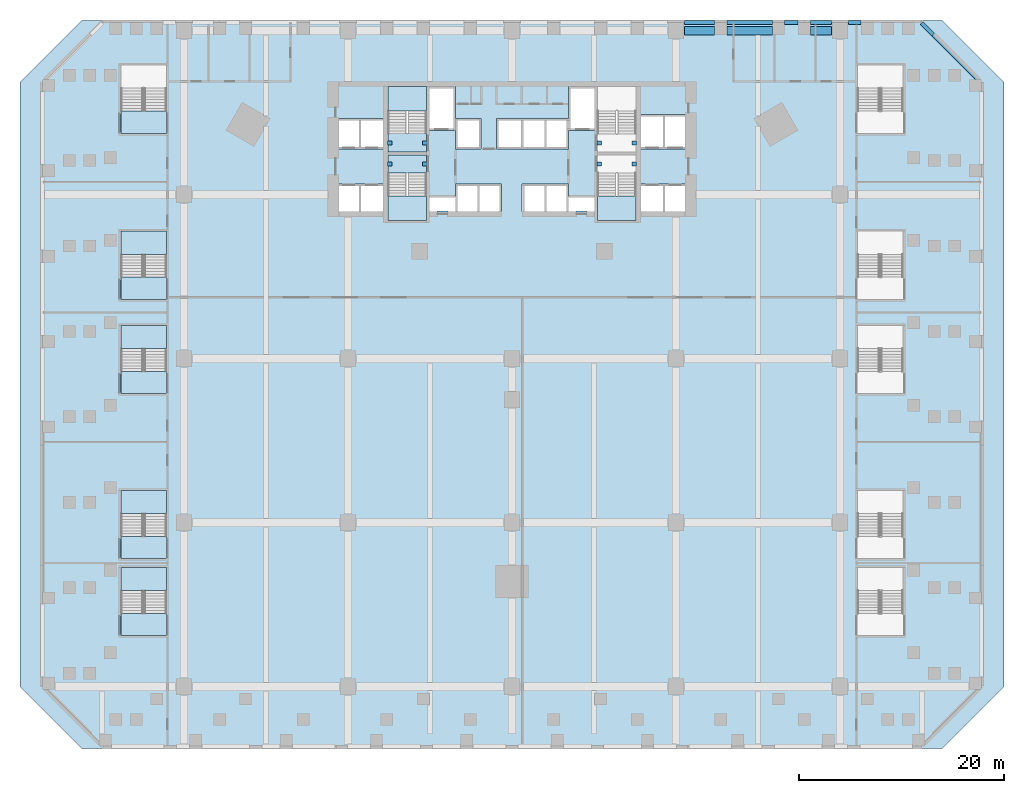
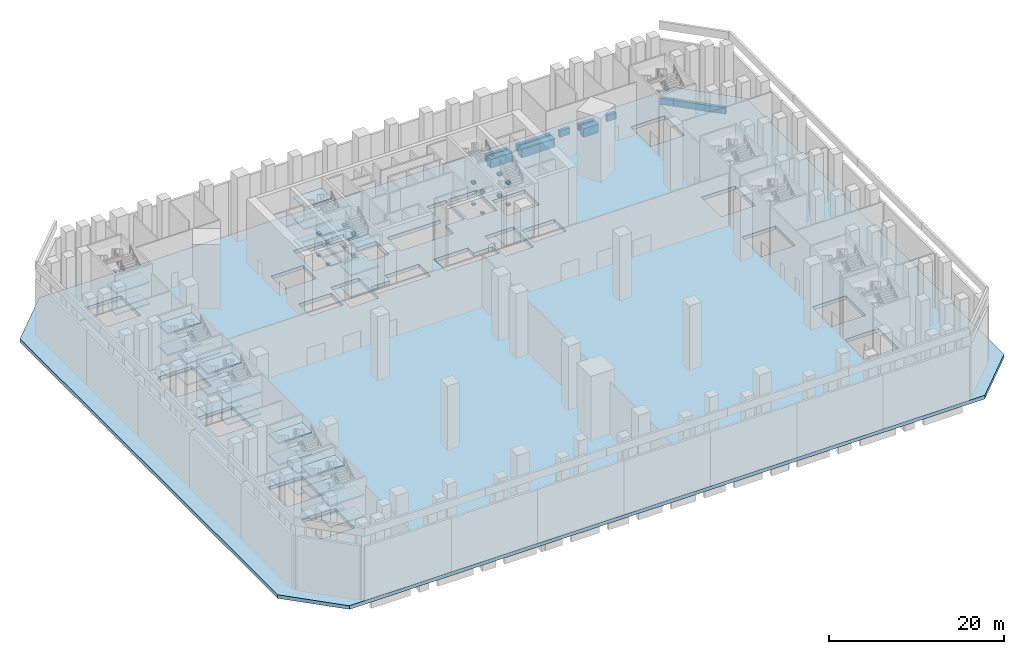
# One storey, part 3 of 25: 34 slabs, 26 beams, 8 elements without a shape of their own.
"""IFC4 building model written with IfcOpenShell, lengths in metres."""

from ifc_helpers import new_model, si_unit, direction, frame, origin, origin_2d, place, context, subcontext, project, spatial, polyline, rectangle, outline, extrude, material, layer, layer_set, material_profile, profile_set, type_object, element, aggregate, save


model = new_model("IFC4")

# Units and contexts
model_context = context("Model", 3, precision=1e-05, world=origin(), true_north=direction((0.0, 1.0)))
body_context = subcontext(model_context, "Body", "Model", "MODEL_VIEW")
ifc_project = project(units=[si_unit("LENGTHUNIT", "METRE"), si_unit("AREAUNIT", "SQUARE_METRE"), si_unit("VOLUMEUNIT", "CUBIC_METRE"), si_unit("PLANEANGLEUNIT", "RADIAN"), si_unit("MASSUNIT", "GRAM", prefix="KILO")], contexts=[model_context])

# Site, building, storey
site_placement = place(None, origin())
site = spatial("IfcSite", under=ifc_project, at=site_placement, CompositionType="ELEMENT")
building_placement = place(site_placement, origin())
building = spatial("IfcBuilding", under=site, at=building_placement, Name="Calabash Gate Tower", CompositionType="ELEMENT")
storey_placement = place(building_placement, frame((0.0, 0.0, 20.0)))
storey = spatial("IfcBuildingStorey", under=building, at=storey_placement, Name="L02", CompositionType="ELEMENT", Elevation=20.0)

# Beams
ifc_material_1 = material(Name="Concrete C50/60", Category="concrete")
ifc_material_profile_1 = material_profile(ifc_material_1, rectangle(XDim=0.39990234375, YDim=0.89990234375, at=origin_2d()))
ifc_profile_set_1 = profile_set([ifc_material_profile_1], Name="Concrete C50/60")
beam_type_1 = type_object("IfcBeamType", Name="Edge beam RC 400x900 Concrete C50/60", PredefinedType="BEAM", material=ifc_profile_set_1)
beam_1_placement = place(storey_placement, frame((16.85009765625, 24.800048828125, -0.949951171875), z_axis=(1.0, 0.0, 0.0), x_axis=(0.0, 1.0, 0.0)))
element("IfcBeam", 1, at=beam_1_placement, inside=storey, type_object=beam_type_1, Name="Edge beam L02 23", PredefinedType="BEAM", context=body_context, shape_type="SweptSolid", body=[
    extrude(rectangle(XDim=0.39990234375, YDim=0.89990234375, at=origin_2d()), origin(), (0.0, 0.0, 1.0), 2.9208984375),
])
beam_2_placement = place(storey_placement, frame((20.971923828125, 24.800048828125, -0.949951171875), z_axis=(1.0, 0.0, 0.0), x_axis=(0.0, 1.0, 0.0)))
element("IfcBeam", 2, at=beam_2_placement, inside=storey, type_object=beam_type_1, Name="Edge beam L02 24", PredefinedType="BEAM", context=body_context, shape_type="SweptSolid", body=[
    extrude(rectangle(XDim=0.39990234375, YDim=0.89990234375, at=origin_2d()), origin(), (0.0, 0.0, 1.0), 4.428955078125),
])
beam_3_placement = place(storey_placement, frame((26.60205078125, 24.800048828125, -0.949951171875), z_axis=(1.0, 0.0, 0.0), x_axis=(0.0, 1.0, 0.0)))
element("IfcBeam", 3, at=beam_3_placement, inside=storey, type_object=beam_type_1, Name="Edge beam L02 25", PredefinedType="BEAM", context=body_context, shape_type="SweptSolid", body=[
    extrude(rectangle(XDim=0.39990234375, YDim=0.89990234375, at=origin_2d()), origin(), (0.0, 0.0, 1.0), 1.31787109375),
])
beam_4_placement = place(storey_placement, frame((29.1201171875, 24.800048828125, -0.949951171875), z_axis=(1.0, 0.0, 0.0), x_axis=(0.0, 1.0, 0.0)))
element("IfcBeam", 4, at=beam_4_placement, inside=storey, type_object=beam_type_1, Name="Edge beam L02 26", PredefinedType="BEAM", context=body_context, shape_type="SweptSolid", body=[
    extrude(rectangle(XDim=0.39990234375, YDim=0.89990234375, at=origin_2d()), origin(), (0.0, 0.0, 1.0), 2.02978515625),
])
beam_5_placement = place(storey_placement, frame((32.85009765625, 24.800048828125, -0.949951171875), z_axis=(1.0, 0.0, 0.0), x_axis=(0.0, 1.0, 0.0)))
element("IfcBeam", 5, at=beam_5_placement, inside=storey, type_object=beam_type_1, Name="Edge beam L02 27", PredefinedType="BEAM", context=body_context, shape_type="SweptSolid", body=[
    extrude(rectangle(XDim=0.39990234375, YDim=0.89990234375, at=origin_2d()), origin(), (0.0, 0.0, 1.0), 1.218994140625),
])
beam_6_placement = place(storey_placement, frame((39.97705078125, 24.739990234375, -0.949951171875), z_axis=(0.707106781187, -0.707106781187, 0.0), x_axis=(0.707106781187, 0.707106781187, 0.0)))
element("IfcBeam", 6, at=beam_6_placement, inside=storey, type_object=beam_type_1, Name="Edge beam L02 28", PredefinedType="BEAM", context=body_context, shape_type="SweptSolid", body=[
    extrude(rectangle(XDim=0.39990234375, YDim=0.89990234375, at=origin_2d()), origin(), (0.0, 0.0, 1.0), 1.575439453125),
])
beam_7_placement = place(storey_placement, frame((41.096923828125, 23.623046875, -0.949951171875), z_axis=(0.706869642942, -0.70734383993, 0.0), x_axis=(0.70734383993, 0.706869642942, 0.0)))
element("IfcBeam", 7, at=beam_7_placement, inside=storey, type_object=beam_type_1, Name="Edge beam L02 29", PredefinedType="BEAM", context=body_context, shape_type="SweptSolid", body=[
    extrude(rectangle(XDim=0.39990234375, YDim=0.89990234375, at=origin_2d()), origin(), (0.0, 0.0, 1.0), 6.17822265625),
])
ifc_material_2 = material(Name="Concrete C50/60", Category="concrete")
ifc_material_profile_2 = material_profile(ifc_material_2, rectangle(XDim=0.800048828125, YDim=1.199951171875, at=origin_2d()))
ifc_profile_set_2 = profile_set([ifc_material_profile_2], Name="Concrete C50/60")
beam_type_2 = type_object("IfcBeamType", Name="Grid girder RC 800x1200 Concrete C50/60", PredefinedType="BEAM", material=ifc_profile_set_2)
beam_8_placement = place(storey_placement, frame((16.85009765625, 24.0, -1.10009765625), z_axis=(1.0, 0.0, 0.0), x_axis=(0.0, 1.0, 0.0)))
element("IfcBeam", 8, at=beam_8_placement, inside=storey, type_object=beam_type_2, Name="Grid girder L02 56", PredefinedType="BEAM", context=body_context, shape_type="SweptSolid", body=[
    extrude(rectangle(XDim=0.800048828125, YDim=1.199951171875, at=origin_2d()), origin(), (0.0, 0.0, 1.0), 2.9208984375),
])
beam_9_placement = place(storey_placement, frame((20.971923828125, 24.0, -1.10009765625), z_axis=(1.0, 0.0, 0.0), x_axis=(0.0, 1.0, 0.0)))
element("IfcBeam", 9, at=beam_9_placement, inside=storey, type_object=beam_type_2, Name="Grid girder L02 57", PredefinedType="BEAM", context=body_context, shape_type="SweptSolid", body=[
    extrude(rectangle(XDim=0.800048828125, YDim=1.199951171875, at=origin_2d()), origin(), (0.0, 0.0, 1.0), 4.428955078125),
])
beam_10_placement = place(storey_placement, frame((29.1201171875, 24.0, -1.10009765625), z_axis=(1.0, 0.0, 0.0), x_axis=(0.0, 1.0, 0.0)))
element("IfcBeam", 10, at=beam_10_placement, inside=storey, type_object=beam_type_2, Name="Grid girder L02 58", PredefinedType="BEAM", context=body_context, shape_type="SweptSolid", body=[
    extrude(rectangle(XDim=0.800048828125, YDim=1.199951171875, at=origin_2d()), origin(), (0.0, 0.0, 1.0), 2.02978515625),
])
ifc_material_3 = material(Name="Concrete C60/75", Category="concrete")
ifc_material_profile_3 = material_profile(ifc_material_3, rectangle(XDim=0.39990234375, YDim=0.25, at=origin_2d()))
ifc_profile_set_3 = profile_set([ifc_material_profile_3], Name="Concrete C60/75")
beam_type_3 = type_object("IfcBeamType", Name="Landing corbel RC 400x250 Concrete C60/75", PredefinedType="BEAM", material=ifc_profile_set_3)
for number, where, z_axis, x_axis, name in (
    (11, (-12.14990234375, 13.052978515625, 2.674072265625), (1.0, 0.0, 0.0), (0.0, 1.0, 0.0), "Landing corbel ST1-L02/L2 west"),
    (12, (-8.300048828125, 13.052978515625, 2.674072265625), (-1.0, 0.0, 0.0), (0.0, -1.0, 0.0), "Landing corbel ST1-L02/L2 east"),
    (13, (-12.14990234375, 13.052978515625, 5.674072265625), (1.0, 0.0, 0.0), (0.0, 1.0, 0.0), "Landing corbel ST1-L02/L4 west"),
    (14, (-8.300048828125, 13.052978515625, 5.674072265625), (-1.0, 0.0, 0.0), (0.0, -1.0, 0.0), "Landing corbel ST1-L02/L4 east"),
    (15, (-12.14990234375, 11.0029296875, 2.674072265625), (1.0, 0.0, 0.0), (0.0, 1.0, 0.0), "Landing corbel ST2-L02/L2 west"),
    (16, (-8.300048828125, 11.0029296875, 2.674072265625), (-1.0, 0.0, 0.0), (0.0, -1.0, 0.0), "Landing corbel ST2-L02/L2 east"),
    (17, (-12.14990234375, 11.0029296875, 5.674072265625), (1.0, 0.0, 0.0), (0.0, 1.0, 0.0), "Landing corbel ST2-L02/L4 west"),
    (18, (-8.300048828125, 11.0029296875, 5.674072265625), (-1.0, 0.0, 0.0), (0.0, -1.0, 0.0), "Landing corbel ST2-L02/L4 east"),
    (19, (8.300048828125, 13.052978515625, 2.674072265625), (1.0, 0.0, 0.0), (0.0, 1.0, 0.0), "Landing corbel ST3-L02/L2 west"),
    (20, (12.14990234375, 13.052978515625, 2.674072265625), (-1.0, 0.0, 0.0), (0.0, -1.0, 0.0), "Landing corbel ST3-L02/L2 east"),
    (21, (8.300048828125, 13.052978515625, 5.674072265625), (1.0, 0.0, 0.0), (0.0, 1.0, 0.0), "Landing corbel ST3-L02/L4 west"),
    (22, (12.14990234375, 13.052978515625, 5.674072265625), (-1.0, 0.0, 0.0), (0.0, -1.0, 0.0), "Landing corbel ST3-L02/L4 east"),
    (23, (8.300048828125, 11.0029296875, 2.674072265625), (1.0, 0.0, 0.0), (0.0, 1.0, 0.0), "Landing corbel ST4-L02/L2 west"),
    (24, (12.14990234375, 11.0029296875, 2.674072265625), (-1.0, 0.0, 0.0), (0.0, -1.0, 0.0), "Landing corbel ST4-L02/L2 east"),
    (25, (8.300048828125, 11.0029296875, 5.674072265625), (1.0, 0.0, 0.0), (0.0, 1.0, 0.0), "Landing corbel ST4-L02/L4 west"),
    (26, (12.14990234375, 11.0029296875, 5.674072265625), (-1.0, 0.0, 0.0), (0.0, -1.0, 0.0), "Landing corbel ST4-L02/L4 east"),
):
    element("IfcBeam", number, at=place(storey_placement, frame(where, z_axis=z_axis, x_axis=x_axis)), inside=storey, type_object=beam_type_3, Name=name, PredefinedType="BEAM", context=body_context, shape_type="SweptSolid", body=[
        extrude(rectangle(XDim=0.39990234375, YDim=0.25, at=origin_2d()), origin(), (0.0, 0.0, 1.0), 0.449951171875),
    ])

# Slab
ifc_material_4 = material(Name="Concrete C40/50", Category="concrete")
ifc_layer_1 = layer(ifc_material_4, 0.5)
ifc_layer_set_1 = layer_set([ifc_layer_1], Name="Reinforced concrete floor slab 500 Concrete C40/50")
slab_type_1 = type_object("IfcSlabType", Name="Reinforced concrete floor slab 500 Concrete C40/50", PredefinedType="FLOOR", material=ifc_layer_set_1)
slab_1_placement = place(storey_placement, frame((0.0, 0.0, -0.5)))
element("IfcSlab", 27, at=slab_1_placement, inside=storey, type_object=slab_type_1, Name="Floor slab L02", PredefinedType="FLOOR", context=body_context, shape_type="SweptSolid", body=[
    extrude(outline(polyline([(42.0, -46.0), (40.0, -46.0), (-40.0, -46.0), (-42.0, -46.0), (-48.0, -40.0), (-48.0, 19.0), (-42.0, 25.0), (-40.0, 25.0), (40.0, 25.0), (42.0, 25.0), (48.0, 19.0), (48.0, -40.0), (42.0, -46.0)]), holes=[polyline([(-1.0, 6.3525390625), (-1.0, 9.052490234375), (-3.25, 9.052490234375), (-5.5, 9.052490234375), (-5.5, 7.8525390625), (-8.050048828125, 7.8525390625), (-8.050048828125, 6.3525390625), (-7.324951171875, 6.3525390625), (-7.324951171875, 6.402587890625), (-6.22509765625, 6.402587890625), (-6.22509765625, 6.3525390625), (-5.5, 6.3525390625), (-3.25, 6.3525390625), (-1.0, 6.3525390625)]), polyline([(8.050048828125, 6.3525390625), (8.050048828125, 7.8525390625), (5.5, 7.8525390625), (5.5, 9.052490234375), (3.25, 9.052490234375), (1.0, 9.052490234375), (1.0, 6.3525390625), (3.25, 6.3525390625), (5.5, 6.3525390625), (6.22509765625, 6.3525390625), (6.22509765625, 6.402587890625), (7.324951171875, 6.402587890625), (7.324951171875, 6.3525390625), (8.050048828125, 6.3525390625)]), polyline([(-3.0, 12.45263671875), (-3.0, 15.45263671875), (-5.5, 15.45263671875), (-5.5, 18.552490234375), (-8.050048828125, 18.552490234375), (-8.050048828125, 14.252685546875), (-5.5, 14.252685546875), (-5.5, 12.45263671875), (-3.0, 12.45263671875)]), polyline([(5.5, 14.252685546875), (8.050048828125, 14.252685546875), (8.050048828125, 18.552490234375), (5.5, 18.552490234375), (5.5, 15.45263671875), (3.25, 15.45263671875), (1.0, 15.45263671875), (-1.5, 15.45263671875), (-1.5, 12.45263671875), (1.0, 12.45263671875), (3.25, 12.45263671875), (5.5, 12.45263671875), (5.5, 14.252685546875)]), polyline([(-16.89990234375, 6.3525390625), (-14.85009765625, 6.3525390625), (-12.60009765625, 6.3525390625), (-12.60009765625, 9.052490234375), (-14.85009765625, 9.052490234375), (-16.89990234375, 9.052490234375), (-16.89990234375, 6.3525390625)]), polyline([(-16.89990234375, 15.45263671875), (-16.89990234375, 12.45263671875), (-14.85009765625, 12.45263671875), (-12.60009765625, 12.45263671875), (-12.60009765625, 15.45263671875), (-14.85009765625, 15.45263671875), (-16.89990234375, 15.45263671875)]), polyline([(12.60009765625, 9.052490234375), (12.60009765625, 6.3525390625), (14.85009765625, 6.3525390625), (16.89990234375, 6.3525390625), (16.89990234375, 9.052490234375), (14.85009765625, 9.052490234375), (12.60009765625, 9.052490234375)]), polyline([(12.60009765625, 15.8525390625), (12.60009765625, 12.45263671875), (14.85009765625, 12.45263671875), (16.89990234375, 12.45263671875), (16.89990234375, 15.8525390625), (14.85009765625, 15.8525390625), (12.60009765625, 15.8525390625)]), polyline([(-12.10009765625, 13.95263671875), (-8.35009765625, 13.95263671875), (-8.35009765625, 18.552490234375), (-12.10009765625, 18.552490234375), (-12.10009765625, 13.95263671875)]), polyline([(-8.35009765625, 5.502685546875), (-8.35009765625, 10.1025390625), (-12.10009765625, 10.1025390625), (-12.10009765625, 5.502685546875), (-8.35009765625, 5.502685546875)]), polyline([(12.10009765625, 18.552490234375), (8.35009765625, 18.552490234375), (8.35009765625, 13.95263671875), (12.10009765625, 13.95263671875), (12.10009765625, 18.552490234375)]), polyline([(8.35009765625, 10.1025390625), (8.35009765625, 5.502685546875), (12.10009765625, 5.502685546875), (12.10009765625, 10.1025390625), (8.35009765625, 10.1025390625)]), polyline([(-33.699951171875, -28.35009765625), (-38.169921875, -28.35009765625), (-38.169921875, -32.840087890625), (-33.699951171875, -32.840087890625), (-33.699951171875, -28.35009765625)]), polyline([(-33.699951171875, -25.340087890625), (-33.699951171875, -20.85009765625), (-38.169921875, -20.85009765625), (-38.169921875, -25.340087890625), (-33.699951171875, -25.340087890625)]), polyline([(-38.169921875, -9.239990234375), (-33.699951171875, -9.239990234375), (-33.699951171875, -4.75), (-38.169921875, -4.75), (-38.169921875, -9.239990234375)]), polyline([(-38.169921875, 4.449951171875), (-38.169921875, -0.0400390625), (-33.699951171875, -0.0400390625), (-33.699951171875, 4.449951171875), (-38.169921875, 4.449951171875)]), polyline([(-33.699951171875, 20.64990234375), (-38.169921875, 20.64990234375), (-38.169921875, 16.159912109375), (-33.699951171875, 16.159912109375), (-33.699951171875, 20.64990234375)]), polyline([(38.169921875, -32.840087890625), (38.169921875, -28.35009765625), (33.699951171875, -28.35009765625), (33.699951171875, -32.840087890625), (38.169921875, -32.840087890625)]), polyline([(33.699951171875, -25.340087890625), (38.169921875, -25.340087890625), (38.169921875, -20.85009765625), (33.699951171875, -20.85009765625), (33.699951171875, -25.340087890625)]), polyline([(33.699951171875, -4.75), (33.699951171875, -9.239990234375), (38.169921875, -9.239990234375), (38.169921875, -4.75), (33.699951171875, -4.75)]), polyline([(38.169921875, 4.449951171875), (33.699951171875, 4.449951171875), (33.699951171875, -0.0400390625), (38.169921875, -0.0400390625), (38.169921875, 4.449951171875)]), polyline([(38.169921875, 16.159912109375), (38.169921875, 20.64990234375), (33.699951171875, 20.64990234375), (33.699951171875, 16.159912109375), (38.169921875, 16.159912109375)])]), origin(), (0.0, 0.0, 1.0), 0.5),
])

# Stair, slabs
ifc_material_5 = material(Name="Concrete C40/50", Category="concrete")
stair_type_1 = type_object("IfcStairType", Name="Exit stair 54 risers of 166.7 mm", PredefinedType="HALF_TURN_STAIR", material=ifc_material_5)
stair_1_placement = place(storey_placement, origin())
stair_1 = element("IfcStair", 28, at=stair_1_placement, inside=storey, type_object=stair_type_1, Name="L02 Exit stair ST1", PredefinedType="HALF_TURN_STAIR")
ifc_material_6 = material(Name="Concrete C40/50", Category="concrete")
ifc_layer_2 = layer(ifc_material_6, 0.199951171875)
ifc_layer_set_2 = layer_set([ifc_layer_2], Name="Stair landing SL200")
slab_type_2 = type_object("IfcSlabType", Name="Stair landing SL200", PredefinedType="LANDING", material=ifc_layer_set_2)
slab_2_placement = place(storey_placement, frame((0.0, 0.0, 1.300048828125)))
slab_2 = element("IfcSlab", 29, at=slab_2_placement, type_object=slab_type_2, Name="ST1 landing 1", PredefinedType="LANDING", context=body_context, shape_type="SweptSolid", body=[
    extrude(outline(polyline([(-8.35009765625, 16.1845703125), (-8.35009765625, 18.552490234375), (-12.10009765625, 18.552490234375), (-12.10009765625, 16.1845703125), (-8.35009765625, 16.1845703125)])), origin(), (0.0, 0.0, 1.0), 0.199951171875),
])
slab_3_placement = place(storey_placement, frame((0.0, 0.0, 2.800048828125)))
slab_3 = element("IfcSlab", 30, at=slab_3_placement, type_object=slab_type_2, Name="ST1 landing 2", PredefinedType="LANDING", context=body_context, shape_type="SweptSolid", body=[
    extrude(outline(polyline([(-8.35009765625, 12.152587890625), (-8.35009765625, 13.95263671875), (-12.10009765625, 13.95263671875), (-12.10009765625, 12.152587890625), (-8.35009765625, 12.152587890625)])), origin(), (0.0, 0.0, 1.0), 0.199951171875),
])
slab_4_placement = place(storey_placement, frame((0.0, 0.0, 4.300048828125)))
slab_4 = element("IfcSlab", 31, at=slab_4_placement, type_object=slab_type_2, Name="ST1 landing 3", PredefinedType="LANDING", context=body_context, shape_type="SweptSolid", body=[
    extrude(outline(polyline([(-8.35009765625, 16.1845703125), (-8.35009765625, 18.552490234375), (-12.10009765625, 18.552490234375), (-12.10009765625, 16.1845703125), (-8.35009765625, 16.1845703125)])), origin(), (0.0, 0.0, 1.0), 0.199951171875),
])
slab_5_placement = place(storey_placement, frame((0.0, 0.0, 5.800048828125)))
slab_5 = element("IfcSlab", 32, at=slab_5_placement, type_object=slab_type_2, Name="ST1 landing 4", PredefinedType="LANDING", context=body_context, shape_type="SweptSolid", body=[
    extrude(outline(polyline([(-8.35009765625, 12.152587890625), (-8.35009765625, 13.95263671875), (-12.10009765625, 13.95263671875), (-12.10009765625, 12.152587890625), (-8.35009765625, 12.152587890625)])), origin(), (0.0, 0.0, 1.0), 0.199951171875),
])
slab_6_placement = place(storey_placement, frame((0.0, 0.0, 7.300048828125)))
slab_6 = element("IfcSlab", 33, at=slab_6_placement, type_object=slab_type_2, Name="ST1 landing 5", PredefinedType="LANDING", context=body_context, shape_type="SweptSolid", body=[
    extrude(outline(polyline([(-8.35009765625, 16.1845703125), (-8.35009765625, 18.552490234375), (-12.10009765625, 18.552490234375), (-12.10009765625, 16.1845703125), (-8.35009765625, 16.1845703125)])), origin(), (0.0, 0.0, 1.0), 0.199951171875),
])
aggregate(stair_1, [slab_2, slab_3, slab_4, slab_5, slab_6])

stair_2_placement = place(storey_placement, origin())
stair_2 = element("IfcStair", 34, at=stair_2_placement, inside=storey, type_object=stair_type_1, Name="L02 Exit stair ST2", PredefinedType="HALF_TURN_STAIR")
slab_7_placement = place(storey_placement, frame((0.0, 0.0, 1.300048828125)))
slab_7 = element("IfcSlab", 35, at=slab_7_placement, type_object=slab_type_2, Name="ST2 landing 1", PredefinedType="LANDING", context=body_context, shape_type="SweptSolid", body=[
    extrude(outline(polyline([(-12.10009765625, 7.87060546875), (-12.10009765625, 5.502685546875), (-8.35009765625, 5.502685546875), (-8.35009765625, 7.87060546875), (-12.10009765625, 7.87060546875)])), origin(), (0.0, 0.0, 1.0), 0.199951171875),
])
slab_8_placement = place(storey_placement, frame((0.0, 0.0, 2.800048828125)))
slab_8 = element("IfcSlab", 36, at=slab_8_placement, type_object=slab_type_2, Name="ST2 landing 2", PredefinedType="LANDING", context=body_context, shape_type="SweptSolid", body=[
    extrude(outline(polyline([(-12.10009765625, 11.902587890625), (-12.10009765625, 10.1025390625), (-8.35009765625, 10.1025390625), (-8.35009765625, 11.902587890625), (-12.10009765625, 11.902587890625)])), origin(), (0.0, 0.0, 1.0), 0.199951171875),
])
slab_9_placement = place(storey_placement, frame((0.0, 0.0, 4.300048828125)))
slab_9 = element("IfcSlab", 37, at=slab_9_placement, type_object=slab_type_2, Name="ST2 landing 3", PredefinedType="LANDING", context=body_context, shape_type="SweptSolid", body=[
    extrude(outline(polyline([(-12.10009765625, 7.87060546875), (-12.10009765625, 5.502685546875), (-8.35009765625, 5.502685546875), (-8.35009765625, 7.87060546875), (-12.10009765625, 7.87060546875)])), origin(), (0.0, 0.0, 1.0), 0.199951171875),
])
slab_10_placement = place(storey_placement, frame((0.0, 0.0, 5.800048828125)))
slab_10 = element("IfcSlab", 38, at=slab_10_placement, type_object=slab_type_2, Name="ST2 landing 4", PredefinedType="LANDING", context=body_context, shape_type="SweptSolid", body=[
    extrude(outline(polyline([(-12.10009765625, 11.902587890625), (-12.10009765625, 10.1025390625), (-8.35009765625, 10.1025390625), (-8.35009765625, 11.902587890625), (-12.10009765625, 11.902587890625)])), origin(), (0.0, 0.0, 1.0), 0.199951171875),
])
slab_11_placement = place(storey_placement, frame((0.0, 0.0, 7.300048828125)))
slab_11 = element("IfcSlab", 39, at=slab_11_placement, type_object=slab_type_2, Name="ST2 landing 5", PredefinedType="LANDING", context=body_context, shape_type="SweptSolid", body=[
    extrude(outline(polyline([(-12.10009765625, 7.87060546875), (-12.10009765625, 5.502685546875), (-8.35009765625, 5.502685546875), (-8.35009765625, 7.87060546875), (-12.10009765625, 7.87060546875)])), origin(), (0.0, 0.0, 1.0), 0.199951171875),
])
aggregate(stair_2, [slab_7, slab_8, slab_9, slab_10, slab_11])

# Stair, slab
stair_3_placement = place(storey_placement, origin())
stair_3 = element("IfcStair", 40, at=stair_3_placement, inside=storey, type_object=stair_type_1, Name="L02 Exit stair ST4", PredefinedType="HALF_TURN_STAIR")
slab_12_placement = place(storey_placement, frame((0.0, 0.0, 1.300048828125)))
slab_12 = element("IfcSlab", 41, at=slab_12_placement, type_object=slab_type_2, Name="ST4 landing 1", PredefinedType="LANDING", context=body_context, shape_type="SweptSolid", body=[
    extrude(outline(polyline([(8.35009765625, 7.87060546875), (8.35009765625, 5.502685546875), (12.10009765625, 5.502685546875), (12.10009765625, 7.87060546875), (8.35009765625, 7.87060546875)])), origin(), (0.0, 0.0, 1.0), 0.199951171875),
])
aggregate(stair_3, [slab_12])

# Stair, slabs
ifc_material_7 = material(Name="Concrete C40/50", Category="concrete")
stair_type_2 = type_object("IfcStairType", Name="Public stair 54 risers of 166.7 mm", PredefinedType="HALF_TURN_STAIR", material=ifc_material_7)
stair_4_placement = place(storey_placement, origin())
stair_4 = element("IfcStair", 42, at=stair_4_placement, inside=storey, type_object=stair_type_2, Name="L02 Public Stair PS1", PredefinedType="HALF_TURN_STAIR")
slab_13_placement = place(storey_placement, frame((0.0, 0.0, 1.300048828125)))
slab_13 = element("IfcSlab", 43, at=slab_13_placement, type_object=slab_type_2, Name="PS1 landing 1", PredefinedType="LANDING", context=body_context, shape_type="SweptSolid", body=[
    extrude(outline(polyline([(-33.699951171875, -30.60791015625), (-33.699951171875, -28.35009765625), (-38.169921875, -28.35009765625), (-38.169921875, -30.60791015625), (-33.699951171875, -30.60791015625)])), origin(), (0.0, 0.0, 1.0), 0.199951171875),
])
slab_14_placement = place(storey_placement, frame((0.0, 0.0, 2.800048828125)))
slab_14 = element("IfcSlab", 44, at=slab_14_placement, type_object=slab_type_2, Name="PS1 landing 2", PredefinedType="LANDING", context=body_context, shape_type="SweptSolid", body=[
    extrude(outline(polyline([(-33.699951171875, -35.0), (-33.699951171875, -32.840087890625), (-38.169921875, -32.840087890625), (-38.169921875, -35.0), (-33.699951171875, -35.0)])), origin(), (0.0, 0.0, 1.0), 0.199951171875),
])
slab_15_placement = place(storey_placement, frame((0.0, 0.0, 4.300048828125)))
slab_15 = element("IfcSlab", 45, at=slab_15_placement, type_object=slab_type_2, Name="PS1 landing 3", PredefinedType="LANDING", context=body_context, shape_type="SweptSolid", body=[
    extrude(outline(polyline([(-33.699951171875, -30.60791015625), (-33.699951171875, -28.35009765625), (-38.169921875, -28.35009765625), (-38.169921875, -30.60791015625), (-33.699951171875, -30.60791015625)])), origin(), (0.0, 0.0, 1.0), 0.199951171875),
])
slab_16_placement = place(storey_placement, frame((0.0, 0.0, 5.800048828125)))
slab_16 = element("IfcSlab", 46, at=slab_16_placement, type_object=slab_type_2, Name="PS1 landing 4", PredefinedType="LANDING", context=body_context, shape_type="SweptSolid", body=[
    extrude(outline(polyline([(-33.699951171875, -35.0), (-33.699951171875, -32.840087890625), (-38.169921875, -32.840087890625), (-38.169921875, -35.0), (-33.699951171875, -35.0)])), origin(), (0.0, 0.0, 1.0), 0.199951171875),
])
slab_17_placement = place(storey_placement, frame((0.0, 0.0, 7.300048828125)))
slab_17 = element("IfcSlab", 47, at=slab_17_placement, type_object=slab_type_2, Name="PS1 landing 5", PredefinedType="LANDING", context=body_context, shape_type="SweptSolid", body=[
    extrude(outline(polyline([(-33.699951171875, -30.60791015625), (-33.699951171875, -28.35009765625), (-38.169921875, -28.35009765625), (-38.169921875, -30.60791015625), (-33.699951171875, -30.60791015625)])), origin(), (0.0, 0.0, 1.0), 0.199951171875),
])
aggregate(stair_4, [slab_13, slab_14, slab_15, slab_16, slab_17])

stair_5_placement = place(storey_placement, origin())
stair_5 = element("IfcStair", 48, at=stair_5_placement, inside=storey, type_object=stair_type_2, Name="L02 Public Stair PS2", PredefinedType="HALF_TURN_STAIR")
slab_18_placement = place(storey_placement, frame((0.0, 0.0, 1.300048828125)))
slab_18 = element("IfcSlab", 49, at=slab_18_placement, type_object=slab_type_2, Name="PS2 landing 1", PredefinedType="LANDING", context=body_context, shape_type="SweptSolid", body=[
    extrude(outline(polyline([(-33.699951171875, -23.10791015625), (-33.699951171875, -20.85009765625), (-38.169921875, -20.85009765625), (-38.169921875, -23.10791015625), (-33.699951171875, -23.10791015625)])), origin(), (0.0, 0.0, 1.0), 0.199951171875),
])
slab_19_placement = place(storey_placement, frame((0.0, 0.0, 2.800048828125)))
slab_19 = element("IfcSlab", 50, at=slab_19_placement, type_object=slab_type_2, Name="PS2 landing 2", PredefinedType="LANDING", context=body_context, shape_type="SweptSolid", body=[
    extrude(outline(polyline([(-33.699951171875, -27.5), (-33.699951171875, -25.340087890625), (-38.169921875, -25.340087890625), (-38.169921875, -27.5), (-33.699951171875, -27.5)])), origin(), (0.0, 0.0, 1.0), 0.199951171875),
])
slab_20_placement = place(storey_placement, frame((0.0, 0.0, 4.300048828125)))
slab_20 = element("IfcSlab", 51, at=slab_20_placement, type_object=slab_type_2, Name="PS2 landing 3", PredefinedType="LANDING", context=body_context, shape_type="SweptSolid", body=[
    extrude(outline(polyline([(-33.699951171875, -23.10791015625), (-33.699951171875, -20.85009765625), (-38.169921875, -20.85009765625), (-38.169921875, -23.10791015625), (-33.699951171875, -23.10791015625)])), origin(), (0.0, 0.0, 1.0), 0.199951171875),
])
slab_21_placement = place(storey_placement, frame((0.0, 0.0, 5.800048828125)))
slab_21 = element("IfcSlab", 52, at=slab_21_placement, type_object=slab_type_2, Name="PS2 landing 4", PredefinedType="LANDING", context=body_context, shape_type="SweptSolid", body=[
    extrude(outline(polyline([(-33.699951171875, -27.5), (-33.699951171875, -25.340087890625), (-38.169921875, -25.340087890625), (-38.169921875, -27.5), (-33.699951171875, -27.5)])), origin(), (0.0, 0.0, 1.0), 0.199951171875),
])
slab_22_placement = place(storey_placement, frame((0.0, 0.0, 7.300048828125)))
slab_22 = element("IfcSlab", 53, at=slab_22_placement, type_object=slab_type_2, Name="PS2 landing 5", PredefinedType="LANDING", context=body_context, shape_type="SweptSolid", body=[
    extrude(outline(polyline([(-33.699951171875, -23.10791015625), (-33.699951171875, -20.85009765625), (-38.169921875, -20.85009765625), (-38.169921875, -23.10791015625), (-33.699951171875, -23.10791015625)])), origin(), (0.0, 0.0, 1.0), 0.199951171875),
])
aggregate(stair_5, [slab_18, slab_19, slab_20, slab_21, slab_22])

stair_6_placement = place(storey_placement, origin())
stair_6 = element("IfcStair", 54, at=stair_6_placement, inside=storey, type_object=stair_type_2, Name="L02 Public Stair PS3", PredefinedType="HALF_TURN_STAIR")
slab_23_placement = place(storey_placement, frame((0.0, 0.0, 1.300048828125)))
slab_23 = element("IfcSlab", 55, at=slab_23_placement, type_object=slab_type_2, Name="PS3 landing 1", PredefinedType="LANDING", context=body_context, shape_type="SweptSolid", body=[
    extrude(outline(polyline([(-33.699951171875, -7.008056640625), (-33.699951171875, -4.75), (-38.169921875, -4.75), (-38.169921875, -7.008056640625), (-33.699951171875, -7.008056640625)])), origin(), (0.0, 0.0, 1.0), 0.199951171875),
])
slab_24_placement = place(storey_placement, frame((0.0, 0.0, 2.800048828125)))
slab_24 = element("IfcSlab", 56, at=slab_24_placement, type_object=slab_type_2, Name="PS3 landing 2", PredefinedType="LANDING", context=body_context, shape_type="SweptSolid", body=[
    extrude(outline(polyline([(-33.699951171875, -11.39990234375), (-33.699951171875, -9.239990234375), (-38.169921875, -9.239990234375), (-38.169921875, -11.39990234375), (-33.699951171875, -11.39990234375)])), origin(), (0.0, 0.0, 1.0), 0.199951171875),
])
slab_25_placement = place(storey_placement, frame((0.0, 0.0, 4.300048828125)))
slab_25 = element("IfcSlab", 57, at=slab_25_placement, type_object=slab_type_2, Name="PS3 landing 3", PredefinedType="LANDING", context=body_context, shape_type="SweptSolid", body=[
    extrude(outline(polyline([(-33.699951171875, -7.008056640625), (-33.699951171875, -4.75), (-38.169921875, -4.75), (-38.169921875, -7.008056640625), (-33.699951171875, -7.008056640625)])), origin(), (0.0, 0.0, 1.0), 0.199951171875),
])
slab_26_placement = place(storey_placement, frame((0.0, 0.0, 5.800048828125)))
slab_26 = element("IfcSlab", 58, at=slab_26_placement, type_object=slab_type_2, Name="PS3 landing 4", PredefinedType="LANDING", context=body_context, shape_type="SweptSolid", body=[
    extrude(outline(polyline([(-33.699951171875, -11.39990234375), (-33.699951171875, -9.239990234375), (-38.169921875, -9.239990234375), (-38.169921875, -11.39990234375), (-33.699951171875, -11.39990234375)])), origin(), (0.0, 0.0, 1.0), 0.199951171875),
])
slab_27_placement = place(storey_placement, frame((0.0, 0.0, 7.300048828125)))
slab_27 = element("IfcSlab", 59, at=slab_27_placement, type_object=slab_type_2, Name="PS3 landing 5", PredefinedType="LANDING", context=body_context, shape_type="SweptSolid", body=[
    extrude(outline(polyline([(-33.699951171875, -7.008056640625), (-33.699951171875, -4.75), (-38.169921875, -4.75), (-38.169921875, -7.008056640625), (-33.699951171875, -7.008056640625)])), origin(), (0.0, 0.0, 1.0), 0.199951171875),
])
aggregate(stair_6, [slab_23, slab_24, slab_25, slab_26, slab_27])

stair_7_placement = place(storey_placement, origin())
stair_7 = element("IfcStair", 60, at=stair_7_placement, inside=storey, type_object=stair_type_2, Name="L02 Public Stair PS4", PredefinedType="HALF_TURN_STAIR")
slab_28_placement = place(storey_placement, frame((0.0, 0.0, 1.300048828125)))
slab_28 = element("IfcSlab", 61, at=slab_28_placement, type_object=slab_type_2, Name="PS4 landing 1", PredefinedType="LANDING", context=body_context, shape_type="SweptSolid", body=[
    extrude(outline(polyline([(-33.699951171875, 2.19189453125), (-33.699951171875, 4.449951171875), (-38.169921875, 4.449951171875), (-38.169921875, 2.19189453125), (-33.699951171875, 2.19189453125)])), origin(), (0.0, 0.0, 1.0), 0.199951171875),
])
slab_29_placement = place(storey_placement, frame((0.0, 0.0, 2.800048828125)))
slab_29 = element("IfcSlab", 62, at=slab_29_placement, type_object=slab_type_2, Name="PS4 landing 2", PredefinedType="LANDING", context=body_context, shape_type="SweptSolid", body=[
    extrude(outline(polyline([(-33.699951171875, -2.199951171875), (-33.699951171875, -0.0400390625), (-38.169921875, -0.0400390625), (-38.169921875, -2.199951171875), (-33.699951171875, -2.199951171875)])), origin(), (0.0, 0.0, 1.0), 0.199951171875),
])
slab_30_placement = place(storey_placement, frame((0.0, 0.0, 4.300048828125)))
slab_30 = element("IfcSlab", 63, at=slab_30_placement, type_object=slab_type_2, Name="PS4 landing 3", PredefinedType="LANDING", context=body_context, shape_type="SweptSolid", body=[
    extrude(outline(polyline([(-33.699951171875, 2.19189453125), (-33.699951171875, 4.449951171875), (-38.169921875, 4.449951171875), (-38.169921875, 2.19189453125), (-33.699951171875, 2.19189453125)])), origin(), (0.0, 0.0, 1.0), 0.199951171875),
])
slab_31_placement = place(storey_placement, frame((0.0, 0.0, 5.800048828125)))
slab_31 = element("IfcSlab", 64, at=slab_31_placement, type_object=slab_type_2, Name="PS4 landing 4", PredefinedType="LANDING", context=body_context, shape_type="SweptSolid", body=[
    extrude(outline(polyline([(-33.699951171875, -2.199951171875), (-33.699951171875, -0.0400390625), (-38.169921875, -0.0400390625), (-38.169921875, -2.199951171875), (-33.699951171875, -2.199951171875)])), origin(), (0.0, 0.0, 1.0), 0.199951171875),
])
slab_32_placement = place(storey_placement, frame((0.0, 0.0, 7.300048828125)))
slab_32 = element("IfcSlab", 65, at=slab_32_placement, type_object=slab_type_2, Name="PS4 landing 5", PredefinedType="LANDING", context=body_context, shape_type="SweptSolid", body=[
    extrude(outline(polyline([(-33.699951171875, 2.19189453125), (-33.699951171875, 4.449951171875), (-38.169921875, 4.449951171875), (-38.169921875, 2.19189453125), (-33.699951171875, 2.19189453125)])), origin(), (0.0, 0.0, 1.0), 0.199951171875),
])
aggregate(stair_7, [slab_28, slab_29, slab_30, slab_31, slab_32])

stair_8_placement = place(storey_placement, origin())
stair_8 = element("IfcStair", 66, at=stair_8_placement, inside=storey, type_object=stair_type_2, Name="L02 Public Stair PS5", PredefinedType="HALF_TURN_STAIR")
slab_33_placement = place(storey_placement, frame((0.0, 0.0, 2.800048828125)))
slab_33 = element("IfcSlab", 67, at=slab_33_placement, type_object=slab_type_2, Name="PS5 landing 2", PredefinedType="LANDING", context=body_context, shape_type="SweptSolid", body=[
    extrude(outline(polyline([(-33.699951171875, 14.0), (-33.699951171875, 16.159912109375), (-38.169921875, 16.159912109375), (-38.169921875, 14.0), (-33.699951171875, 14.0)])), origin(), (0.0, 0.0, 1.0), 0.199951171875),
])
slab_34_placement = place(storey_placement, frame((0.0, 0.0, 5.800048828125)))
slab_34 = element("IfcSlab", 68, at=slab_34_placement, type_object=slab_type_2, Name="PS5 landing 4", PredefinedType="LANDING", context=body_context, shape_type="SweptSolid", body=[
    extrude(outline(polyline([(-33.699951171875, 14.0), (-33.699951171875, 16.159912109375), (-38.169921875, 16.159912109375), (-38.169921875, 14.0), (-33.699951171875, 14.0)])), origin(), (0.0, 0.0, 1.0), 0.199951171875),
])
aggregate(stair_8, [slab_33, slab_34])

save(model, "model.ifc")
